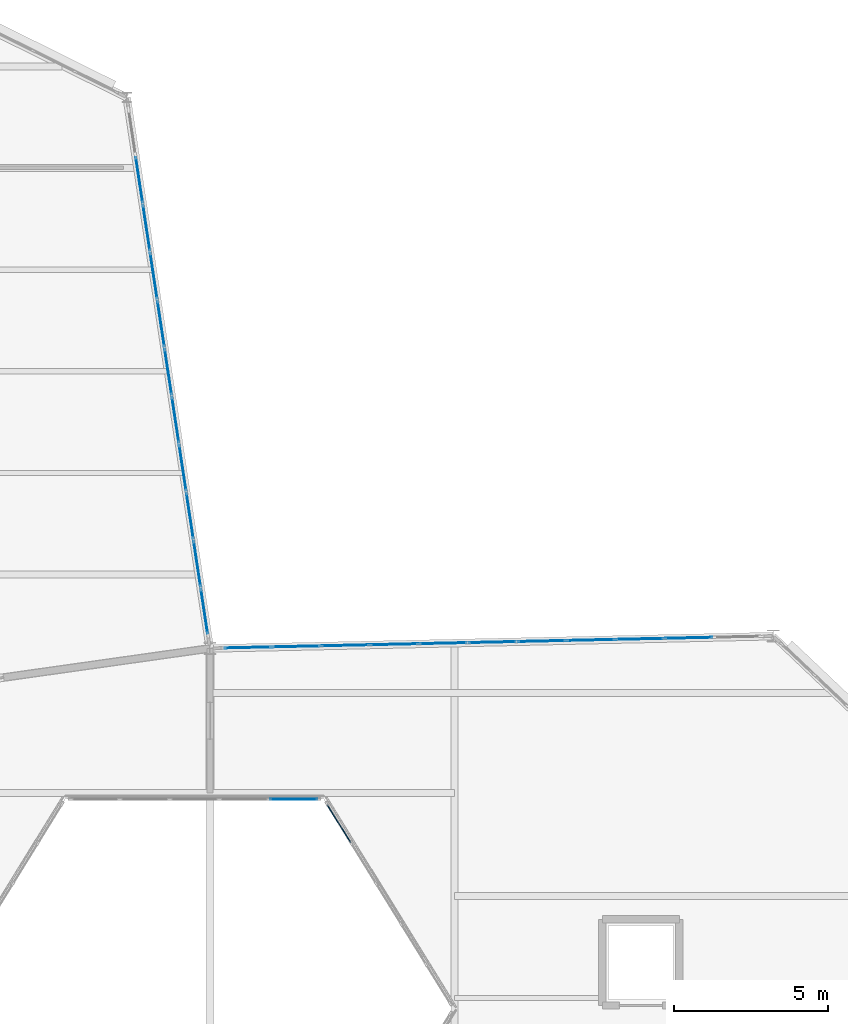
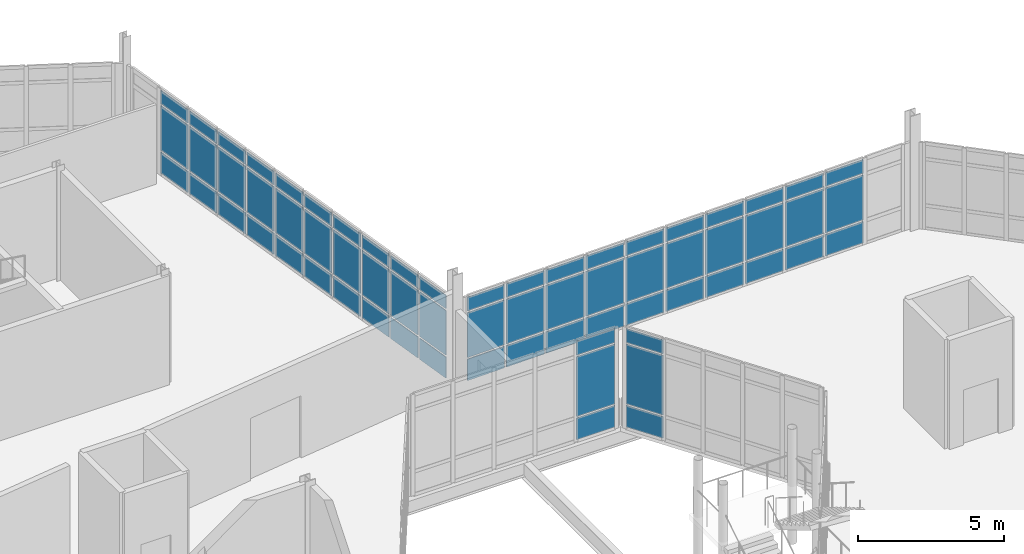
# One storey, part 89 of 134: 66 plates, 4 elements without a shape of their own.
"""IFC4 building model written with IfcOpenShell, lengths in metres."""

from ifc_helpers import new_model, si_unit, direction, frame, origin, origin_2d, place, context, subcontext, project, spatial, rectangle, extrude, material, layer, layer_set, type_object, element, aggregate, save


model = new_model("IFC4")

# Units and contexts
model_context = context("Model", 3, precision=1e-05, world=origin(), true_north=direction((0.0, 1.0)))
body_context = subcontext(model_context, "Body", "Model", "MODEL_VIEW")
ifc_project = project(units=[si_unit("LENGTHUNIT", "METRE"), si_unit("AREAUNIT", "SQUARE_METRE"), si_unit("VOLUMEUNIT", "CUBIC_METRE"), si_unit("PLANEANGLEUNIT", "RADIAN"), si_unit("MASSUNIT", "GRAM", prefix="KILO")], contexts=[model_context])

# Site, building, storey
site_placement = place(None, origin())
site = spatial("IfcSite", under=ifc_project, at=site_placement, CompositionType="ELEMENT")
building_placement = place(site_placement, origin())
building = spatial("IfcBuilding", under=site, at=building_placement, Name="Tameran Prism Museum", CompositionType="ELEMENT")
storey_placement = place(building_placement, frame((0.0, 0.0, 5.39990234375)))
storey = spatial("IfcBuildingStorey", under=building, at=storey_placement, Name="L01", CompositionType="ELEMENT", Elevation=5.39990234375)

# Curtain wall, plates
ifc_material_1 = material(Name="Anodised Aluminium 6063-T6 and Cyclone Solar Glass", Category="aluminium")
curtain_wall_type_1 = type_object("IfcCurtainWallType", Name="CW-ATR-769x424", PredefinedType="USERDEFINED", material=ifc_material_1)
curtain_wall_1_placement = place(storey_placement, origin())
curtain_wall_1 = element("IfcCurtainWall", 1, at=curtain_wall_1_placement, inside=storey, type_object=curtain_wall_type_1, Name="Unitised Curtain Wall CW-004", ObjectType="UNITISED CURTAIN WALL", PredefinedType="USERDEFINED")
ifc_material_2 = material(Name="Low-E Laminated Solar Glass", Category="glass")
ifc_layer_1 = layer(ifc_material_2, 0.028076171875)
ifc_layer_set_1 = layer_set([ifc_layer_1])
plate_type_1 = type_object("IfcPlateType", Name="CW-PNL-G28", PredefinedType="CURTAIN_PANEL", material=ifc_layer_set_1)
plate_1_placement = place(storey_placement, frame((81.691650390625, 42.503662109375, 0.06494140625), z_axis=(0.0, 0.0, 1.0), x_axis=(-0.525503952357, 0.850791158897, 0.0)))
plate_1 = element("IfcPlate", 2, at=plate_1_placement, type_object=plate_type_1, Name="CW-004 panel 5.1", PredefinedType="CURTAIN_PANEL", context=body_context, shape_type="SweptSolid", body=[
    extrude(rectangle(XDim=1.44091796875, YDim=0.028076171875, at=origin_2d()), origin(), (0.0, 0.0, 1.0), 0.902587890625),
])
plate_2_placement = place(storey_placement, frame((81.691650390625, 42.503662109375, 1.032470703125), z_axis=(0.0, 0.0, 1.0), x_axis=(-0.525503952357, 0.850791158897, 0.0)))
plate_2 = element("IfcPlate", 3, at=plate_2_placement, type_object=plate_type_1, Name="CW-004 panel 5.2", PredefinedType="CURTAIN_PANEL", context=body_context, shape_type="SweptSolid", body=[
    extrude(rectangle(XDim=1.44091796875, YDim=0.028076171875, at=origin_2d()), origin(), (0.0, 0.0, 1.0), 2.4951171875),
])
plate_3_placement = place(storey_placement, frame((81.691650390625, 42.503662109375, 3.592529296875), z_axis=(0.0, 0.0, 1.0), x_axis=(-0.525503952357, 0.850791158897, 0.0)))
plate_3 = element("IfcPlate", 4, at=plate_3_placement, type_object=plate_type_1, Name="CW-004 panel 5.3", PredefinedType="CURTAIN_PANEL", context=body_context, shape_type="SweptSolid", body=[
    extrude(rectangle(XDim=1.44091796875, YDim=0.028076171875, at=origin_2d()), origin(), (0.0, 0.0, 1.0), 0.58251953125),
])
aggregate(curtain_wall_1, [plate_1, plate_2, plate_3])

ifc_material_3 = material(Name="Anodised Aluminium 6063-T6 and Cyclone Solar Glass", Category="aluminium")
curtain_wall_type_2 = type_object("IfcCurtainWallType", Name="CW-ATR-810x424", PredefinedType="USERDEFINED", material=ifc_material_3)
curtain_wall_2_placement = place(storey_placement, origin())
curtain_wall_2 = element("IfcCurtainWall", 5, at=curtain_wall_2_placement, inside=storey, type_object=curtain_wall_type_2, Name="Unitised Curtain Wall CW-005", ObjectType="UNITISED CURTAIN WALL", PredefinedType="USERDEFINED")
plate_4_placement = place(storey_placement, frame((80.2236328125, 43.300048828125, 0.06494140625), z_axis=(0.0, 0.0, 1.0), x_axis=(-1.0, 0.0, 0.0)))
plate_4 = element("IfcPlate", 6, at=plate_4_placement, type_object=plate_type_1, Name="CW-005 panel 1.1", PredefinedType="CURTAIN_PANEL", context=body_context, shape_type="SweptSolid", body=[
    extrude(rectangle(XDim=1.5224609375, YDim=0.028076171875, at=origin_2d()), origin(), (0.0, 0.0, 1.0), 0.902587890625),
])
plate_5_placement = place(storey_placement, frame((80.2236328125, 43.300048828125, 1.032470703125), z_axis=(0.0, 0.0, 1.0), x_axis=(-1.0, 0.0, 0.0)))
plate_5 = element("IfcPlate", 7, at=plate_5_placement, type_object=plate_type_1, Name="CW-005 panel 1.2", PredefinedType="CURTAIN_PANEL", context=body_context, shape_type="SweptSolid", body=[
    extrude(rectangle(XDim=1.5224609375, YDim=0.028076171875, at=origin_2d()), origin(), (0.0, 0.0, 1.0), 2.4951171875),
])
plate_6_placement = place(storey_placement, frame((80.2236328125, 43.300048828125, 3.592529296875), z_axis=(0.0, 0.0, 1.0), x_axis=(-1.0, 0.0, 0.0)))
plate_6 = element("IfcPlate", 8, at=plate_6_placement, type_object=plate_type_1, Name="CW-005 panel 1.3", PredefinedType="CURTAIN_PANEL", context=body_context, shape_type="SweptSolid", body=[
    extrude(rectangle(XDim=1.5224609375, YDim=0.028076171875, at=origin_2d()), origin(), (0.0, 0.0, 1.0), 0.58251953125),
])
aggregate(curtain_wall_2, [plate_4, plate_5, plate_6])

ifc_material_4 = material(Name="Anodised Aluminium 6063-T6 and Cyclone Solar Glass", Category="aluminium")
curtain_wall_type_3 = type_object("IfcCurtainWallType", Name="CW-FAC-1734x362", PredefinedType="USERDEFINED", material=ifc_material_4)
curtain_wall_3_placement = place(storey_placement, origin())
curtain_wall_3 = element("IfcCurtainWall", 9, at=curtain_wall_3_placement, inside=storey, type_object=curtain_wall_type_3, Name="Unitised Curtain Wall CW-070", ObjectType="UNITISED CURTAIN WALL", PredefinedType="USERDEFINED")
plate_7_placement = place(storey_placement, frame((75.204833984375, 63.41552734375, 0.080078125), z_axis=(0.0, 0.0, 1.0), x_axis=(0.149166532852, -0.988812088052, 0.0)))
plate_7 = element("IfcPlate", 10, at=plate_7_placement, type_object=plate_type_1, Name="CW-070 panel 2.1", PredefinedType="CURTAIN_PANEL", context=body_context, shape_type="SweptSolid", body=[
    extrude(rectangle(XDim=1.49658203125, YDim=0.028076171875, at=origin_2d()), origin(), (0.0, 0.0, 1.0), 0.8798828125),
])
plate_8_placement = place(storey_placement, frame((75.204833984375, 63.41552734375, 1.0400390625), z_axis=(0.0, 0.0, 1.0), x_axis=(0.149166532852, -0.988812088052, 0.0)))
plate_8 = element("IfcPlate", 11, at=plate_8_placement, type_object=plate_type_1, Name="CW-070 panel 2.2", PredefinedType="CURTAIN_PANEL", context=body_context, shape_type="SweptSolid", body=[
    extrude(rectangle(XDim=1.49658203125, YDim=0.028076171875, at=origin_2d()), origin(), (0.0, 0.0, 1.0), 1.860107421875),
])
plate_9_placement = place(storey_placement, frame((75.204833984375, 63.41552734375, 2.97998046875), z_axis=(0.0, 0.0, 1.0), x_axis=(0.149166532852, -0.988812088052, 0.0)))
plate_9 = element("IfcPlate", 12, at=plate_9_placement, type_object=plate_type_1, Name="CW-070 panel 2.3", PredefinedType="CURTAIN_PANEL", context=body_context, shape_type="SweptSolid", body=[
    extrude(rectangle(XDim=1.49658203125, YDim=0.028076171875, at=origin_2d()), origin(), (0.0, 0.0, 1.0), 0.56005859375),
])
plate_10_placement = place(storey_placement, frame((75.43994140625, 61.8564453125, 0.080078125), z_axis=(0.0, 0.0, 1.0), x_axis=(0.149166532852, -0.988812088052, 0.0)))
plate_10 = element("IfcPlate", 13, at=plate_10_placement, type_object=plate_type_1, Name="CW-070 panel 3.1", PredefinedType="CURTAIN_PANEL", context=body_context, shape_type="SweptSolid", body=[
    extrude(rectangle(XDim=1.49658203125, YDim=0.028076171875, at=origin_2d()), origin(), (0.0, 0.0, 1.0), 0.8798828125),
])
plate_11_placement = place(storey_placement, frame((75.43994140625, 61.8564453125, 1.0400390625), z_axis=(0.0, 0.0, 1.0), x_axis=(0.149166532852, -0.988812088052, 0.0)))
plate_11 = element("IfcPlate", 14, at=plate_11_placement, type_object=plate_type_1, Name="CW-070 panel 3.2", PredefinedType="CURTAIN_PANEL", context=body_context, shape_type="SweptSolid", body=[
    extrude(rectangle(XDim=1.49658203125, YDim=0.028076171875, at=origin_2d()), origin(), (0.0, 0.0, 1.0), 1.860107421875),
])
plate_12_placement = place(storey_placement, frame((75.43994140625, 61.8564453125, 2.97998046875), z_axis=(0.0, 0.0, 1.0), x_axis=(0.149166532852, -0.988812088052, 0.0)))
plate_12 = element("IfcPlate", 15, at=plate_12_placement, type_object=plate_type_1, Name="CW-070 panel 3.3", PredefinedType="CURTAIN_PANEL", context=body_context, shape_type="SweptSolid", body=[
    extrude(rectangle(XDim=1.49658203125, YDim=0.028076171875, at=origin_2d()), origin(), (0.0, 0.0, 1.0), 0.56005859375),
])
plate_13_placement = place(storey_placement, frame((75.675048828125, 60.297607421875, 0.080078125), z_axis=(0.0, 0.0, 1.0), x_axis=(0.149166532852, -0.988812088052, 0.0)))
plate_13 = element("IfcPlate", 16, at=plate_13_placement, type_object=plate_type_1, Name="CW-070 panel 4.1", PredefinedType="CURTAIN_PANEL", context=body_context, shape_type="SweptSolid", body=[
    extrude(rectangle(XDim=1.49658203125, YDim=0.028076171875, at=origin_2d()), origin(), (0.0, 0.0, 1.0), 0.8798828125),
])
plate_14_placement = place(storey_placement, frame((75.675048828125, 60.297607421875, 1.0400390625), z_axis=(0.0, 0.0, 1.0), x_axis=(0.149166532852, -0.988812088052, 0.0)))
plate_14 = element("IfcPlate", 17, at=plate_14_placement, type_object=plate_type_1, Name="CW-070 panel 4.2", PredefinedType="CURTAIN_PANEL", context=body_context, shape_type="SweptSolid", body=[
    extrude(rectangle(XDim=1.49658203125, YDim=0.028076171875, at=origin_2d()), origin(), (0.0, 0.0, 1.0), 1.860107421875),
])
plate_15_placement = place(storey_placement, frame((75.675048828125, 60.297607421875, 2.97998046875), z_axis=(0.0, 0.0, 1.0), x_axis=(0.149166532852, -0.988812088052, 0.0)))
plate_15 = element("IfcPlate", 18, at=plate_15_placement, type_object=plate_type_1, Name="CW-070 panel 4.3", PredefinedType="CURTAIN_PANEL", context=body_context, shape_type="SweptSolid", body=[
    extrude(rectangle(XDim=1.49658203125, YDim=0.028076171875, at=origin_2d()), origin(), (0.0, 0.0, 1.0), 0.56005859375),
])
plate_16_placement = place(storey_placement, frame((75.910400390625, 58.738525390625, 0.080078125), z_axis=(0.0, 0.0, 1.0), x_axis=(0.149166532852, -0.988812088052, 0.0)))
plate_16 = element("IfcPlate", 19, at=plate_16_placement, type_object=plate_type_1, Name="CW-070 panel 5.1", PredefinedType="CURTAIN_PANEL", context=body_context, shape_type="SweptSolid", body=[
    extrude(rectangle(XDim=1.49658203125, YDim=0.028076171875, at=origin_2d()), origin(), (0.0, 0.0, 1.0), 0.8798828125),
])
plate_17_placement = place(storey_placement, frame((75.910400390625, 58.738525390625, 1.0400390625), z_axis=(0.0, 0.0, 1.0), x_axis=(0.149166532852, -0.988812088052, 0.0)))
plate_17 = element("IfcPlate", 20, at=plate_17_placement, type_object=plate_type_1, Name="CW-070 panel 5.2", PredefinedType="CURTAIN_PANEL", context=body_context, shape_type="SweptSolid", body=[
    extrude(rectangle(XDim=1.49658203125, YDim=0.028076171875, at=origin_2d()), origin(), (0.0, 0.0, 1.0), 1.860107421875),
])
plate_18_placement = place(storey_placement, frame((75.910400390625, 58.738525390625, 2.97998046875), z_axis=(0.0, 0.0, 1.0), x_axis=(0.149166532852, -0.988812088052, 0.0)))
plate_18 = element("IfcPlate", 21, at=plate_18_placement, type_object=plate_type_1, Name="CW-070 panel 5.3", PredefinedType="CURTAIN_PANEL", context=body_context, shape_type="SweptSolid", body=[
    extrude(rectangle(XDim=1.49658203125, YDim=0.028076171875, at=origin_2d()), origin(), (0.0, 0.0, 1.0), 0.56005859375),
])
plate_19_placement = place(storey_placement, frame((76.1455078125, 57.179443359375, 0.080078125), z_axis=(0.0, 0.0, 1.0), x_axis=(0.149166532852, -0.988812088052, 0.0)))
plate_19 = element("IfcPlate", 22, at=plate_19_placement, type_object=plate_type_1, Name="CW-070 panel 6.1", PredefinedType="CURTAIN_PANEL", context=body_context, shape_type="SweptSolid", body=[
    extrude(rectangle(XDim=1.49658203125, YDim=0.028076171875, at=origin_2d()), origin(), (0.0, 0.0, 1.0), 0.8798828125),
])
plate_20_placement = place(storey_placement, frame((76.1455078125, 57.179443359375, 1.0400390625), z_axis=(0.0, 0.0, 1.0), x_axis=(0.149166532852, -0.988812088052, 0.0)))
plate_20 = element("IfcPlate", 23, at=plate_20_placement, type_object=plate_type_1, Name="CW-070 panel 6.2", PredefinedType="CURTAIN_PANEL", context=body_context, shape_type="SweptSolid", body=[
    extrude(rectangle(XDim=1.49658203125, YDim=0.028076171875, at=origin_2d()), origin(), (0.0, 0.0, 1.0), 1.860107421875),
])
plate_21_placement = place(storey_placement, frame((76.1455078125, 57.179443359375, 2.97998046875), z_axis=(0.0, 0.0, 1.0), x_axis=(0.149166532852, -0.988812088052, 0.0)))
plate_21 = element("IfcPlate", 24, at=plate_21_placement, type_object=plate_type_1, Name="CW-070 panel 6.3", PredefinedType="CURTAIN_PANEL", context=body_context, shape_type="SweptSolid", body=[
    extrude(rectangle(XDim=1.49658203125, YDim=0.028076171875, at=origin_2d()), origin(), (0.0, 0.0, 1.0), 0.56005859375),
])
plate_22_placement = place(storey_placement, frame((76.380615234375, 55.62060546875, 0.080078125), z_axis=(0.0, 0.0, 1.0), x_axis=(0.149166532852, -0.988812088052, 0.0)))
plate_22 = element("IfcPlate", 25, at=plate_22_placement, type_object=plate_type_1, Name="CW-070 panel 7.1", PredefinedType="CURTAIN_PANEL", context=body_context, shape_type="SweptSolid", body=[
    extrude(rectangle(XDim=1.49658203125, YDim=0.028076171875, at=origin_2d()), origin(), (0.0, 0.0, 1.0), 0.8798828125),
])
plate_23_placement = place(storey_placement, frame((76.380615234375, 55.62060546875, 1.0400390625), z_axis=(0.0, 0.0, 1.0), x_axis=(0.149166532852, -0.988812088052, 0.0)))
plate_23 = element("IfcPlate", 26, at=plate_23_placement, type_object=plate_type_1, Name="CW-070 panel 7.2", PredefinedType="CURTAIN_PANEL", context=body_context, shape_type="SweptSolid", body=[
    extrude(rectangle(XDim=1.49658203125, YDim=0.028076171875, at=origin_2d()), origin(), (0.0, 0.0, 1.0), 1.860107421875),
])
plate_24_placement = place(storey_placement, frame((76.380615234375, 55.62060546875, 2.97998046875), z_axis=(0.0, 0.0, 1.0), x_axis=(0.149166532852, -0.988812088052, 0.0)))
plate_24 = element("IfcPlate", 27, at=plate_24_placement, type_object=plate_type_1, Name="CW-070 panel 7.3", PredefinedType="CURTAIN_PANEL", context=body_context, shape_type="SweptSolid", body=[
    extrude(rectangle(XDim=1.49658203125, YDim=0.028076171875, at=origin_2d()), origin(), (0.0, 0.0, 1.0), 0.56005859375),
])
plate_25_placement = place(storey_placement, frame((76.615966796875, 54.0615234375, 0.080078125), z_axis=(0.0, 0.0, 1.0), x_axis=(0.149166532852, -0.988812088052, 0.0)))
plate_25 = element("IfcPlate", 28, at=plate_25_placement, type_object=plate_type_1, Name="CW-070 panel 8.1", PredefinedType="CURTAIN_PANEL", context=body_context, shape_type="SweptSolid", body=[
    extrude(rectangle(XDim=1.49658203125, YDim=0.028076171875, at=origin_2d()), origin(), (0.0, 0.0, 1.0), 0.8798828125),
])
plate_26_placement = place(storey_placement, frame((76.615966796875, 54.0615234375, 1.0400390625), z_axis=(0.0, 0.0, 1.0), x_axis=(0.149166532852, -0.988812088052, 0.0)))
plate_26 = element("IfcPlate", 29, at=plate_26_placement, type_object=plate_type_1, Name="CW-070 panel 8.2", PredefinedType="CURTAIN_PANEL", context=body_context, shape_type="SweptSolid", body=[
    extrude(rectangle(XDim=1.49658203125, YDim=0.028076171875, at=origin_2d()), origin(), (0.0, 0.0, 1.0), 1.860107421875),
])
plate_27_placement = place(storey_placement, frame((76.615966796875, 54.0615234375, 2.97998046875), z_axis=(0.0, 0.0, 1.0), x_axis=(0.149166532852, -0.988812088052, 0.0)))
plate_27 = element("IfcPlate", 30, at=plate_27_placement, type_object=plate_type_1, Name="CW-070 panel 8.3", PredefinedType="CURTAIN_PANEL", context=body_context, shape_type="SweptSolid", body=[
    extrude(rectangle(XDim=1.49658203125, YDim=0.028076171875, at=origin_2d()), origin(), (0.0, 0.0, 1.0), 0.56005859375),
])
plate_28_placement = place(storey_placement, frame((76.85107421875, 52.50244140625, 0.080078125), z_axis=(0.0, 0.0, 1.0), x_axis=(0.149166532852, -0.988812088052, 0.0)))
plate_28 = element("IfcPlate", 31, at=plate_28_placement, type_object=plate_type_1, Name="CW-070 panel 9.1", PredefinedType="CURTAIN_PANEL", context=body_context, shape_type="SweptSolid", body=[
    extrude(rectangle(XDim=1.49658203125, YDim=0.028076171875, at=origin_2d()), origin(), (0.0, 0.0, 1.0), 0.8798828125),
])
plate_29_placement = place(storey_placement, frame((76.85107421875, 52.50244140625, 1.0400390625), z_axis=(0.0, 0.0, 1.0), x_axis=(0.149166532852, -0.988812088052, 0.0)))
plate_29 = element("IfcPlate", 32, at=plate_29_placement, type_object=plate_type_1, Name="CW-070 panel 9.2", PredefinedType="CURTAIN_PANEL", context=body_context, shape_type="SweptSolid", body=[
    extrude(rectangle(XDim=1.49658203125, YDim=0.028076171875, at=origin_2d()), origin(), (0.0, 0.0, 1.0), 1.860107421875),
])
plate_30_placement = place(storey_placement, frame((76.85107421875, 52.50244140625, 2.97998046875), z_axis=(0.0, 0.0, 1.0), x_axis=(0.149166532852, -0.988812088052, 0.0)))
plate_30 = element("IfcPlate", 33, at=plate_30_placement, type_object=plate_type_1, Name="CW-070 panel 9.3", PredefinedType="CURTAIN_PANEL", context=body_context, shape_type="SweptSolid", body=[
    extrude(rectangle(XDim=1.49658203125, YDim=0.028076171875, at=origin_2d()), origin(), (0.0, 0.0, 1.0), 0.56005859375),
])
plate_31_placement = place(storey_placement, frame((77.086181640625, 50.943603515625, 0.080078125), z_axis=(0.0, 0.0, 1.0), x_axis=(0.149166532852, -0.988812088052, 0.0)))
plate_31 = element("IfcPlate", 34, at=plate_31_placement, type_object=plate_type_1, Name="CW-070 panel 10.1", PredefinedType="CURTAIN_PANEL", context=body_context, shape_type="SweptSolid", body=[
    extrude(rectangle(XDim=1.49658203125, YDim=0.028076171875, at=origin_2d()), origin(), (0.0, 0.0, 1.0), 0.8798828125),
])
plate_32_placement = place(storey_placement, frame((77.086181640625, 50.943603515625, 1.0400390625), z_axis=(0.0, 0.0, 1.0), x_axis=(0.149166532852, -0.988812088052, 0.0)))
plate_32 = element("IfcPlate", 35, at=plate_32_placement, type_object=plate_type_1, Name="CW-070 panel 10.2", PredefinedType="CURTAIN_PANEL", context=body_context, shape_type="SweptSolid", body=[
    extrude(rectangle(XDim=1.49658203125, YDim=0.028076171875, at=origin_2d()), origin(), (0.0, 0.0, 1.0), 1.860107421875),
])
plate_33_placement = place(storey_placement, frame((77.086181640625, 50.943603515625, 2.97998046875), z_axis=(0.0, 0.0, 1.0), x_axis=(0.149166532852, -0.988812088052, 0.0)))
plate_33 = element("IfcPlate", 36, at=plate_33_placement, type_object=plate_type_1, Name="CW-070 panel 10.3", PredefinedType="CURTAIN_PANEL", context=body_context, shape_type="SweptSolid", body=[
    extrude(rectangle(XDim=1.49658203125, YDim=0.028076171875, at=origin_2d()), origin(), (0.0, 0.0, 1.0), 0.56005859375),
])
plate_34_placement = place(storey_placement, frame((77.318359375, 49.404296875, 0.080078125), z_axis=(0.0, 0.0, 1.0), x_axis=(0.149166532852, -0.988812088052, 0.0)))
plate_34 = element("IfcPlate", 37, at=plate_34_placement, type_object=plate_type_1, Name="CW-070 panel 11.1", PredefinedType="CURTAIN_PANEL", context=body_context, shape_type="SweptSolid", body=[
    extrude(rectangle(XDim=1.45654296875, YDim=0.028076171875, at=origin_2d()), origin(), (0.0, 0.0, 1.0), 0.8798828125),
])
plate_35_placement = place(storey_placement, frame((77.318359375, 49.404296875, 1.0400390625), z_axis=(0.0, 0.0, 1.0), x_axis=(0.149166532852, -0.988812088052, 0.0)))
plate_35 = element("IfcPlate", 38, at=plate_35_placement, type_object=plate_type_1, Name="CW-070 panel 11.2", PredefinedType="CURTAIN_PANEL", context=body_context, shape_type="SweptSolid", body=[
    extrude(rectangle(XDim=1.45654296875, YDim=0.028076171875, at=origin_2d()), origin(), (0.0, 0.0, 1.0), 1.860107421875),
])
plate_36_placement = place(storey_placement, frame((77.318359375, 49.404296875, 2.97998046875), z_axis=(0.0, 0.0, 1.0), x_axis=(0.149166532852, -0.988812088052, 0.0)))
plate_36 = element("IfcPlate", 39, at=plate_36_placement, type_object=plate_type_1, Name="CW-070 panel 11.3", PredefinedType="CURTAIN_PANEL", context=body_context, shape_type="SweptSolid", body=[
    extrude(rectangle(XDim=1.45654296875, YDim=0.028076171875, at=origin_2d()), origin(), (0.0, 0.0, 1.0), 0.56005859375),
])
aggregate(curtain_wall_3, [plate_7, plate_8, plate_9, plate_10, plate_11, plate_12, plate_13, plate_14, plate_15, plate_16, plate_17, plate_18, plate_19, plate_20, plate_21, plate_22, plate_23, plate_24, plate_25, plate_26, plate_27, plate_28, plate_29, plate_30, plate_31, plate_32, plate_33, plate_34, plate_35, plate_36])

ifc_material_5 = material(Name="Anodised Aluminium 6063-T6 and Cyclone Solar Glass", Category="aluminium")
curtain_wall_type_4 = type_object("IfcCurtainWallType", Name="CW-FAC-1754x362", PredefinedType="USERDEFINED", material=ifc_material_5)
curtain_wall_4_placement = place(storey_placement, origin())
curtain_wall_4 = element("IfcCurtainWall", 40, at=curtain_wall_4_placement, inside=storey, type_object=curtain_wall_type_4, Name="Unitised Curtain Wall CW-068", ObjectType="UNITISED CURTAIN WALL", PredefinedType="USERDEFINED")
ifc_material_6 = material(Name="Cyclone Laminated Solar Glass", Category="glass")
ifc_layer_2 = layer(ifc_material_6, 0.031982421875)
ifc_layer_set_2 = layer_set([ifc_layer_2])
plate_type_2 = type_object("IfcPlateType", Name="CW-PNL-G32", PredefinedType="CURTAIN_PANEL", material=ifc_layer_set_2)
plate_37_placement = place(storey_placement, frame((78.724853515625, 48.226806640625, 0.070068359375), z_axis=(0.0, 0.0, 1.0), x_axis=(0.999761684053, 0.021830600058, 0.0)))
plate_37 = element("IfcPlate", 41, at=plate_37_placement, type_object=plate_type_2, Name="CW-068 panel 1.1", PredefinedType="CURTAIN_PANEL", context=body_context, shape_type="SweptSolid", body=[
    extrude(rectangle(XDim=1.489990234375, YDim=0.031982421875, at=origin_2d()), origin(), (0.0, 0.0, 1.0), 0.89501953125),
])
plate_38_placement = place(storey_placement, frame((78.724853515625, 48.226806640625, 1.03515625), z_axis=(0.0, 0.0, 1.0), x_axis=(0.999761684053, 0.021830600058, 0.0)))
plate_38 = element("IfcPlate", 42, at=plate_38_placement, type_object=plate_type_2, Name="CW-068 panel 1.2", PredefinedType="CURTAIN_PANEL", context=body_context, shape_type="SweptSolid", body=[
    extrude(rectangle(XDim=1.489990234375, YDim=0.031982421875, at=origin_2d()), origin(), (0.0, 0.0, 1.0), 1.8701171875),
])
plate_39_placement = place(storey_placement, frame((78.724853515625, 48.226806640625, 2.97509765625), z_axis=(0.0, 0.0, 1.0), x_axis=(0.999761684053, 0.021830600058, 0.0)))
plate_39 = element("IfcPlate", 43, at=plate_39_placement, type_object=plate_type_2, Name="CW-068 panel 1.3", PredefinedType="CURTAIN_PANEL", context=body_context, shape_type="SweptSolid", body=[
    extrude(rectangle(XDim=1.489990234375, YDim=0.031982421875, at=origin_2d()), origin(), (0.0, 0.0, 1.0), 0.574951171875),
])
plate_40_placement = place(storey_placement, frame((80.3017578125, 48.26123046875, 0.070068359375), z_axis=(0.0, 0.0, 1.0), x_axis=(0.999761684053, 0.021830600058, 0.0)))
plate_40 = element("IfcPlate", 44, at=plate_40_placement, type_object=plate_type_2, Name="CW-068 panel 2.1", PredefinedType="CURTAIN_PANEL", context=body_context, shape_type="SweptSolid", body=[
    extrude(rectangle(XDim=1.52490234375, YDim=0.031982421875, at=origin_2d()), origin(), (0.0, 0.0, 1.0), 0.89501953125),
])
plate_41_placement = place(storey_placement, frame((80.3017578125, 48.26123046875, 1.03515625), z_axis=(0.0, 0.0, 1.0), x_axis=(0.999761684053, 0.021830600058, 0.0)))
plate_41 = element("IfcPlate", 45, at=plate_41_placement, type_object=plate_type_2, Name="CW-068 panel 2.2", PredefinedType="CURTAIN_PANEL", context=body_context, shape_type="SweptSolid", body=[
    extrude(rectangle(XDim=1.52490234375, YDim=0.031982421875, at=origin_2d()), origin(), (0.0, 0.0, 1.0), 1.8701171875),
])
plate_42_placement = place(storey_placement, frame((80.3017578125, 48.26123046875, 2.97509765625), z_axis=(0.0, 0.0, 1.0), x_axis=(0.999761684053, 0.021830600058, 0.0)))
plate_42 = element("IfcPlate", 46, at=plate_42_placement, type_object=plate_type_2, Name="CW-068 panel 2.3", PredefinedType="CURTAIN_PANEL", context=body_context, shape_type="SweptSolid", body=[
    extrude(rectangle(XDim=1.52490234375, YDim=0.031982421875, at=origin_2d()), origin(), (0.0, 0.0, 1.0), 0.574951171875),
])
plate_43_placement = place(storey_placement, frame((81.896484375, 48.296142578125, 0.070068359375), z_axis=(0.0, 0.0, 1.0), x_axis=(0.999761684053, 0.021830600058, 0.0)))
plate_43 = element("IfcPlate", 47, at=plate_43_placement, type_object=plate_type_2, Name="CW-068 panel 3.1", PredefinedType="CURTAIN_PANEL", context=body_context, shape_type="SweptSolid", body=[
    extrude(rectangle(XDim=1.52490234375, YDim=0.031982421875, at=origin_2d()), origin(), (0.0, 0.0, 1.0), 0.89501953125),
])
plate_44_placement = place(storey_placement, frame((81.896484375, 48.296142578125, 1.03515625), z_axis=(0.0, 0.0, 1.0), x_axis=(0.999761684053, 0.021830600058, 0.0)))
plate_44 = element("IfcPlate", 48, at=plate_44_placement, type_object=plate_type_2, Name="CW-068 panel 3.2", PredefinedType="CURTAIN_PANEL", context=body_context, shape_type="SweptSolid", body=[
    extrude(rectangle(XDim=1.52490234375, YDim=0.031982421875, at=origin_2d()), origin(), (0.0, 0.0, 1.0), 1.8701171875),
])
plate_45_placement = place(storey_placement, frame((81.896484375, 48.296142578125, 2.97509765625), z_axis=(0.0, 0.0, 1.0), x_axis=(0.999761684053, 0.021830600058, 0.0)))
plate_45 = element("IfcPlate", 49, at=plate_45_placement, type_object=plate_type_2, Name="CW-068 panel 3.3", PredefinedType="CURTAIN_PANEL", context=body_context, shape_type="SweptSolid", body=[
    extrude(rectangle(XDim=1.52490234375, YDim=0.031982421875, at=origin_2d()), origin(), (0.0, 0.0, 1.0), 0.574951171875),
])
plate_46_placement = place(storey_placement, frame((83.490966796875, 48.330810546875, 0.070068359375), z_axis=(0.0, 0.0, 1.0), x_axis=(0.999761684053, 0.021830600058, 0.0)))
plate_46 = element("IfcPlate", 50, at=plate_46_placement, type_object=plate_type_2, Name="CW-068 panel 4.1", PredefinedType="CURTAIN_PANEL", context=body_context, shape_type="SweptSolid", body=[
    extrude(rectangle(XDim=1.52490234375, YDim=0.031982421875, at=origin_2d()), origin(), (0.0, 0.0, 1.0), 0.89501953125),
])
plate_47_placement = place(storey_placement, frame((83.490966796875, 48.330810546875, 1.03515625), z_axis=(0.0, 0.0, 1.0), x_axis=(0.999761684053, 0.021830600058, 0.0)))
plate_47 = element("IfcPlate", 51, at=plate_47_placement, type_object=plate_type_2, Name="CW-068 panel 4.2", PredefinedType="CURTAIN_PANEL", context=body_context, shape_type="SweptSolid", body=[
    extrude(rectangle(XDim=1.52490234375, YDim=0.031982421875, at=origin_2d()), origin(), (0.0, 0.0, 1.0), 1.8701171875),
])
plate_48_placement = place(storey_placement, frame((83.490966796875, 48.330810546875, 2.97509765625), z_axis=(0.0, 0.0, 1.0), x_axis=(0.999761684053, 0.021830600058, 0.0)))
plate_48 = element("IfcPlate", 52, at=plate_48_placement, type_object=plate_type_2, Name="CW-068 panel 4.3", PredefinedType="CURTAIN_PANEL", context=body_context, shape_type="SweptSolid", body=[
    extrude(rectangle(XDim=1.52490234375, YDim=0.031982421875, at=origin_2d()), origin(), (0.0, 0.0, 1.0), 0.574951171875),
])
plate_49_placement = place(storey_placement, frame((85.08544921875, 48.36572265625, 0.070068359375), z_axis=(0.0, 0.0, 1.0), x_axis=(0.999761684053, 0.021830600058, 0.0)))
plate_49 = element("IfcPlate", 53, at=plate_49_placement, type_object=plate_type_2, Name="CW-068 panel 5.1", PredefinedType="CURTAIN_PANEL", context=body_context, shape_type="SweptSolid", body=[
    extrude(rectangle(XDim=1.52490234375, YDim=0.031982421875, at=origin_2d()), origin(), (0.0, 0.0, 1.0), 0.89501953125),
])
plate_50_placement = place(storey_placement, frame((85.08544921875, 48.36572265625, 1.03515625), z_axis=(0.0, 0.0, 1.0), x_axis=(0.999761684053, 0.021830600058, 0.0)))
plate_50 = element("IfcPlate", 54, at=plate_50_placement, type_object=plate_type_2, Name="CW-068 panel 5.2", PredefinedType="CURTAIN_PANEL", context=body_context, shape_type="SweptSolid", body=[
    extrude(rectangle(XDim=1.52490234375, YDim=0.031982421875, at=origin_2d()), origin(), (0.0, 0.0, 1.0), 1.8701171875),
])
plate_51_placement = place(storey_placement, frame((85.08544921875, 48.36572265625, 2.97509765625), z_axis=(0.0, 0.0, 1.0), x_axis=(0.999761684053, 0.021830600058, 0.0)))
plate_51 = element("IfcPlate", 55, at=plate_51_placement, type_object=plate_type_2, Name="CW-068 panel 5.3", PredefinedType="CURTAIN_PANEL", context=body_context, shape_type="SweptSolid", body=[
    extrude(rectangle(XDim=1.52490234375, YDim=0.031982421875, at=origin_2d()), origin(), (0.0, 0.0, 1.0), 0.574951171875),
])
plate_52_placement = place(storey_placement, frame((86.679931640625, 48.400390625, 0.070068359375), z_axis=(0.0, 0.0, 1.0), x_axis=(0.999761684053, 0.021830600058, 0.0)))
plate_52 = element("IfcPlate", 56, at=plate_52_placement, type_object=plate_type_2, Name="CW-068 panel 6.1", PredefinedType="CURTAIN_PANEL", context=body_context, shape_type="SweptSolid", body=[
    extrude(rectangle(XDim=1.52490234375, YDim=0.031982421875, at=origin_2d()), origin(), (0.0, 0.0, 1.0), 0.89501953125),
])
plate_53_placement = place(storey_placement, frame((86.679931640625, 48.400390625, 1.03515625), z_axis=(0.0, 0.0, 1.0), x_axis=(0.999761684053, 0.021830600058, 0.0)))
plate_53 = element("IfcPlate", 57, at=plate_53_placement, type_object=plate_type_2, Name="CW-068 panel 6.2", PredefinedType="CURTAIN_PANEL", context=body_context, shape_type="SweptSolid", body=[
    extrude(rectangle(XDim=1.52490234375, YDim=0.031982421875, at=origin_2d()), origin(), (0.0, 0.0, 1.0), 1.8701171875),
])
plate_54_placement = place(storey_placement, frame((86.679931640625, 48.400390625, 2.97509765625), z_axis=(0.0, 0.0, 1.0), x_axis=(0.999761684053, 0.021830600058, 0.0)))
plate_54 = element("IfcPlate", 58, at=plate_54_placement, type_object=plate_type_2, Name="CW-068 panel 6.3", PredefinedType="CURTAIN_PANEL", context=body_context, shape_type="SweptSolid", body=[
    extrude(rectangle(XDim=1.52490234375, YDim=0.031982421875, at=origin_2d()), origin(), (0.0, 0.0, 1.0), 0.574951171875),
])
plate_55_placement = place(storey_placement, frame((88.274658203125, 48.435302734375, 0.070068359375), z_axis=(0.0, 0.0, 1.0), x_axis=(0.999761684053, 0.021830600058, 0.0)))
plate_55 = element("IfcPlate", 59, at=plate_55_placement, type_object=plate_type_2, Name="CW-068 panel 7.1", PredefinedType="CURTAIN_PANEL", context=body_context, shape_type="SweptSolid", body=[
    extrude(rectangle(XDim=1.52490234375, YDim=0.031982421875, at=origin_2d()), origin(), (0.0, 0.0, 1.0), 0.89501953125),
])
plate_56_placement = place(storey_placement, frame((88.274658203125, 48.435302734375, 1.03515625), z_axis=(0.0, 0.0, 1.0), x_axis=(0.999761684053, 0.021830600058, 0.0)))
plate_56 = element("IfcPlate", 60, at=plate_56_placement, type_object=plate_type_2, Name="CW-068 panel 7.2", PredefinedType="CURTAIN_PANEL", context=body_context, shape_type="SweptSolid", body=[
    extrude(rectangle(XDim=1.52490234375, YDim=0.031982421875, at=origin_2d()), origin(), (0.0, 0.0, 1.0), 1.8701171875),
])
plate_57_placement = place(storey_placement, frame((88.274658203125, 48.435302734375, 2.97509765625), z_axis=(0.0, 0.0, 1.0), x_axis=(0.999761684053, 0.021830600058, 0.0)))
plate_57 = element("IfcPlate", 61, at=plate_57_placement, type_object=plate_type_2, Name="CW-068 panel 7.3", PredefinedType="CURTAIN_PANEL", context=body_context, shape_type="SweptSolid", body=[
    extrude(rectangle(XDim=1.52490234375, YDim=0.031982421875, at=origin_2d()), origin(), (0.0, 0.0, 1.0), 0.574951171875),
])
plate_58_placement = place(storey_placement, frame((89.869140625, 48.47021484375, 0.070068359375), z_axis=(0.0, 0.0, 1.0), x_axis=(0.999761684053, 0.021830600058, 0.0)))
plate_58 = element("IfcPlate", 62, at=plate_58_placement, type_object=plate_type_2, Name="CW-068 panel 8.1", PredefinedType="CURTAIN_PANEL", context=body_context, shape_type="SweptSolid", body=[
    extrude(rectangle(XDim=1.52490234375, YDim=0.031982421875, at=origin_2d()), origin(), (0.0, 0.0, 1.0), 0.89501953125),
])
plate_59_placement = place(storey_placement, frame((89.869140625, 48.47021484375, 1.03515625), z_axis=(0.0, 0.0, 1.0), x_axis=(0.999761684053, 0.021830600058, 0.0)))
plate_59 = element("IfcPlate", 63, at=plate_59_placement, type_object=plate_type_2, Name="CW-068 panel 8.2", PredefinedType="CURTAIN_PANEL", context=body_context, shape_type="SweptSolid", body=[
    extrude(rectangle(XDim=1.52490234375, YDim=0.031982421875, at=origin_2d()), origin(), (0.0, 0.0, 1.0), 1.8701171875),
])
plate_60_placement = place(storey_placement, frame((89.869140625, 48.47021484375, 2.97509765625), z_axis=(0.0, 0.0, 1.0), x_axis=(0.999761684053, 0.021830600058, 0.0)))
plate_60 = element("IfcPlate", 64, at=plate_60_placement, type_object=plate_type_2, Name="CW-068 panel 8.3", PredefinedType="CURTAIN_PANEL", context=body_context, shape_type="SweptSolid", body=[
    extrude(rectangle(XDim=1.52490234375, YDim=0.031982421875, at=origin_2d()), origin(), (0.0, 0.0, 1.0), 0.574951171875),
])
plate_61_placement = place(storey_placement, frame((91.463623046875, 48.5048828125, 0.070068359375), z_axis=(0.0, 0.0, 1.0), x_axis=(0.999761684053, 0.021830600058, 0.0)))
plate_61 = element("IfcPlate", 65, at=plate_61_placement, type_object=plate_type_2, Name="CW-068 panel 9.1", PredefinedType="CURTAIN_PANEL", context=body_context, shape_type="SweptSolid", body=[
    extrude(rectangle(XDim=1.52490234375, YDim=0.031982421875, at=origin_2d()), origin(), (0.0, 0.0, 1.0), 0.89501953125),
])
plate_62_placement = place(storey_placement, frame((91.463623046875, 48.5048828125, 1.03515625), z_axis=(0.0, 0.0, 1.0), x_axis=(0.999761684053, 0.021830600058, 0.0)))
plate_62 = element("IfcPlate", 66, at=plate_62_placement, type_object=plate_type_2, Name="CW-068 panel 9.2", PredefinedType="CURTAIN_PANEL", context=body_context, shape_type="SweptSolid", body=[
    extrude(rectangle(XDim=1.52490234375, YDim=0.031982421875, at=origin_2d()), origin(), (0.0, 0.0, 1.0), 1.8701171875),
])
plate_63_placement = place(storey_placement, frame((91.463623046875, 48.5048828125, 2.97509765625), z_axis=(0.0, 0.0, 1.0), x_axis=(0.999761684053, 0.021830600058, 0.0)))
plate_63 = element("IfcPlate", 67, at=plate_63_placement, type_object=plate_type_2, Name="CW-068 panel 9.3", PredefinedType="CURTAIN_PANEL", context=body_context, shape_type="SweptSolid", body=[
    extrude(rectangle(XDim=1.52490234375, YDim=0.031982421875, at=origin_2d()), origin(), (0.0, 0.0, 1.0), 0.574951171875),
])
plate_64_placement = place(storey_placement, frame((93.05810546875, 48.539794921875, 0.070068359375), z_axis=(0.0, 0.0, 1.0), x_axis=(0.999761684053, 0.021830600058, 0.0)))
plate_64 = element("IfcPlate", 68, at=plate_64_placement, type_object=plate_type_2, Name="CW-068 panel 10.1", PredefinedType="CURTAIN_PANEL", context=body_context, shape_type="SweptSolid", body=[
    extrude(rectangle(XDim=1.52490234375, YDim=0.031982421875, at=origin_2d()), origin(), (0.0, 0.0, 1.0), 0.89501953125),
])
plate_65_placement = place(storey_placement, frame((93.05810546875, 48.539794921875, 1.03515625), z_axis=(0.0, 0.0, 1.0), x_axis=(0.999761684053, 0.021830600058, 0.0)))
plate_65 = element("IfcPlate", 69, at=plate_65_placement, type_object=plate_type_2, Name="CW-068 panel 10.2", PredefinedType="CURTAIN_PANEL", context=body_context, shape_type="SweptSolid", body=[
    extrude(rectangle(XDim=1.52490234375, YDim=0.031982421875, at=origin_2d()), origin(), (0.0, 0.0, 1.0), 1.8701171875),
])
plate_66_placement = place(storey_placement, frame((93.05810546875, 48.539794921875, 2.97509765625), z_axis=(0.0, 0.0, 1.0), x_axis=(0.999761684053, 0.021830600058, 0.0)))
plate_66 = element("IfcPlate", 70, at=plate_66_placement, type_object=plate_type_2, Name="CW-068 panel 10.3", PredefinedType="CURTAIN_PANEL", context=body_context, shape_type="SweptSolid", body=[
    extrude(rectangle(XDim=1.52490234375, YDim=0.031982421875, at=origin_2d()), origin(), (0.0, 0.0, 1.0), 0.574951171875),
])
aggregate(curtain_wall_4, [plate_37, plate_38, plate_39, plate_40, plate_41, plate_42, plate_43, plate_44, plate_45, plate_46, plate_47, plate_48, plate_49, plate_50, plate_51, plate_52, plate_53, plate_54, plate_55, plate_56, plate_57, plate_58, plate_59, plate_60, plate_61, plate_62, plate_63, plate_64, plate_65, plate_66])

save(model, "model.ifc")
